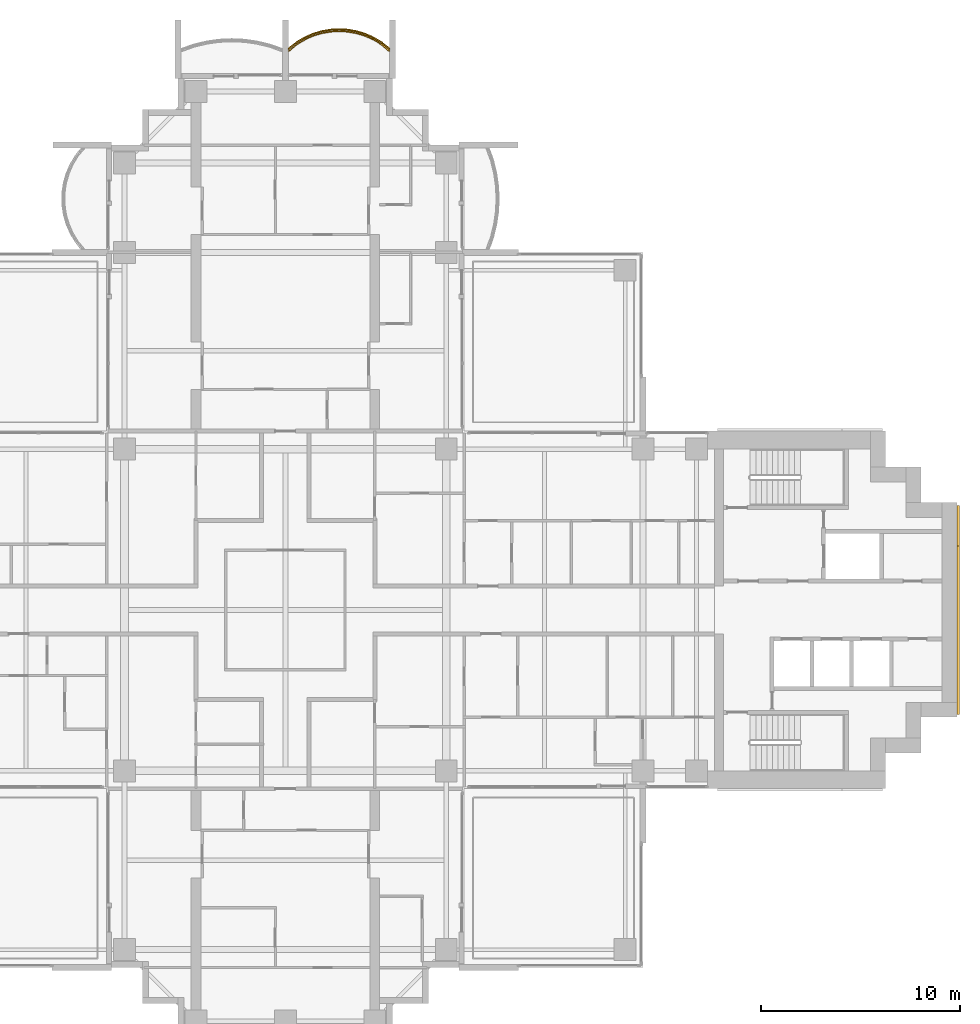
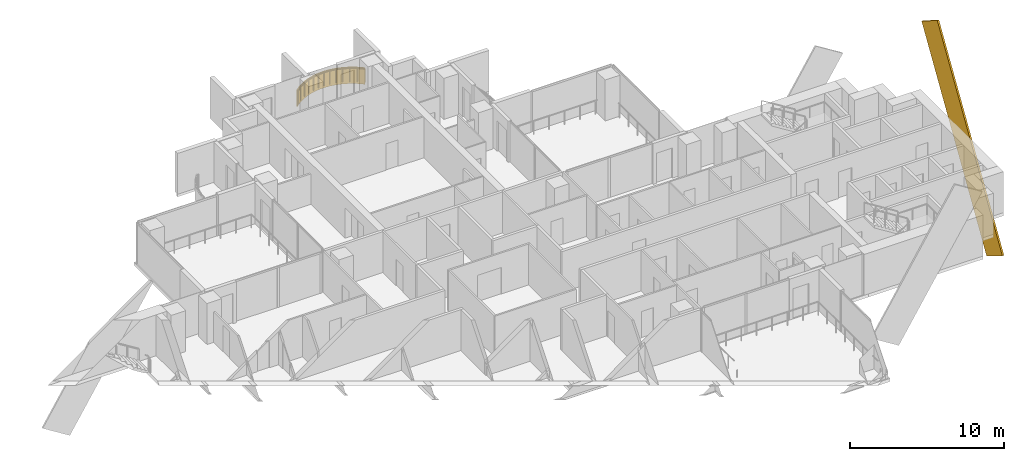
# One storey, part 19 of 19: 2 coverings, 1 railing.
"""IFC4 building model written with IfcOpenShell, lengths in metres."""

from ifc_helpers import new_model, si_unit, direction, frame, origin, origin_2d, place, context, subcontext, project, spatial, polyline, rectangle, outline, extrude, material, layer, layer_set, material_profile, profile_set, type_object, element, save


model = new_model("IFC4")

# Units and contexts
model_context = context("Model", 3, precision=1e-05, world=origin(), true_north=direction((0.0, 1.0)))
body_context = subcontext(model_context, "Body", "Model", "MODEL_VIEW")
ifc_project = project(units=[si_unit("LENGTHUNIT", "METRE"), si_unit("AREAUNIT", "SQUARE_METRE"), si_unit("VOLUMEUNIT", "CUBIC_METRE"), si_unit("PLANEANGLEUNIT", "RADIAN"), si_unit("MASSUNIT", "GRAM", prefix="KILO")], contexts=[model_context])

# Site, building, storey
site_placement = place(None, origin())
site = spatial("IfcSite", under=ifc_project, at=site_placement, CompositionType="ELEMENT")
building_placement = place(site_placement, origin())
building = spatial("IfcBuilding", under=site, at=building_placement, Name="Perihelion Cross Residences", CompositionType="ELEMENT")
storey_placement = place(building_placement, frame((0.0, 0.0, 116.39990234375)))
storey = spatial("IfcBuildingStorey", under=building, at=storey_placement, Name="L27", CompositionType="ELEMENT", Elevation=116.39990234375)

# Covering
ifc_material_1 = material(Name="Bronze anodised aluminium", Category="aluminium")
ifc_layer = layer(ifc_material_1, 0.070068359375)
ifc_layer_set = layer_set([ifc_layer], Name="Balcony fascia 1300")
covering_type_1 = type_object("IfcCoveringType", Name="Balcony fascia 1300", PredefinedType="CLADDING", material=ifc_layer_set)
covering_1_placement = place(storey_placement, frame((0.0, 0.0, -0.199951171875)))
element("IfcCovering", 1, at=covering_1_placement, inside=storey, type_object=covering_type_1, Name="Fascia BF1 L27 north tip north bay 1", PredefinedType="CLADDING", context=body_context, shape_type="SweptSolid", body=[
    extrude(outline(polyline([(4.86474609375, 28.59765625), (4.431884765625, 28.85498046875), (3.998779296875, 29.04248046875), (3.56591796875, 29.170654296875), (3.133056640625, 29.245361328125), (2.699951171875, 29.27001953125), (2.26708984375, 29.245361328125), (1.833984375, 29.170654296875), (1.401123046875, 29.04248046875), (0.96826171875, 28.85498046875), (0.53515625, 28.59765625), (0.14990234375, 28.28955078125), (0.14990234375, 28.199951171875), (0.574951171875, 28.5400390625), (1.0, 28.792724609375), (1.425048828125, 28.9765625), (1.85009765625, 29.1025390625), (2.27490234375, 29.17578125), (2.699951171875, 29.199951171875), (3.125, 29.17578125), (3.550048828125, 29.1025390625), (3.97509765625, 28.9765625), (4.39990234375, 28.792724609375), (4.824951171875, 28.5400390625), (5.25, 28.199951171875), (5.25, 28.28955078125), (4.86474609375, 28.59765625)])), origin(), (0.0, 0.0, 1.0), 1.300048828125),
])

# Railing
ifc_material_2 = material(Name="Bronze anodised aluminium", Category="aluminium")
railing_type = type_object("IfcRailingType", Name="Balcony guard 1100", PredefinedType="GUARDRAIL", material=ifc_material_2)
railing_placement = place(storey_placement, frame((5.22509765625, 28.139892578125, 0.0)))
element("IfcRailing", 2, at=railing_placement, inside=storey, type_object=railing_type, Name="Guard GU1 L27 north tip north bay 1 balcony", PredefinedType="GUARDRAIL", context=body_context, shape_type="SweptSolid", body=[
    extrude(rectangle(XDim=0.048095703125, YDim=0.048095703125, at=origin_2d()), frame((0.0, 0.0, 1.076171875), z_axis=(-0.761973728849, 0.647607934281, 0.0), x_axis=(-0.647607934281, -0.761973728849, 0.0)), (0.0, 0.0, 1.0), 0.525146484375),
    extrude(rectangle(XDim=0.048095703125, YDim=0.048095703125, at=origin_2d()), frame((-0.400146484375, 0.340087890625, 1.076171875), z_axis=(-0.859576918062, 0.511006381501, 0.0), x_axis=(-0.511006381501, -0.859576918062, 0.0)), (0.0, 0.0, 1.0), 0.494384765625),
    extrude(rectangle(XDim=0.048095703125, YDim=0.048095703125, at=origin_2d()), frame((-0.8251953125, 0.5927734375, 1.076171875), z_axis=(-0.91755562531, 0.397607437634, 0.0), x_axis=(-0.397607437634, -0.91755562531, 0.0)), (0.0, 0.0, 1.0), 0.462890625),
    extrude(rectangle(XDim=0.048095703125, YDim=0.048095703125, at=origin_2d()), frame((-1.25, 0.77685546875, 1.076171875), z_axis=(-0.958925815697, 0.283656975924, 0.0), x_axis=(-0.283656975924, -0.958925815697, 0.0)), (0.0, 0.0, 1.0), 0.443359375),
    extrude(rectangle(XDim=0.048095703125, YDim=0.048095703125, at=origin_2d()), frame((-1.675048828125, 0.902587890625, 1.076171875), z_axis=(-0.985381583142, 0.17036177859, 0.0), x_axis=(-0.17036177859, -0.985381583142, 0.0)), (0.0, 0.0, 1.0), 0.431396484375),
    extrude(rectangle(XDim=0.048095703125, YDim=0.048095703125, at=origin_2d()), frame((-2.10009765625, 0.97607421875, 1.076171875), z_axis=(-0.9984195016, 0.056200523353, 0.0), x_axis=(-0.056200523353, -0.9984195016, 0.0)), (0.0, 0.0, 1.0), 0.42578125),
    extrude(rectangle(XDim=0.048095703125, YDim=0.048095703125, at=origin_2d()), frame((-2.525146484375, 1.0, 1.076171875), z_axis=(-0.9984195016, -0.056200523353, 0.0), x_axis=(0.056200523353, -0.9984195016, 0.0)), (0.0, 0.0, 1.0), 0.42578125),
    extrude(rectangle(XDim=0.048095703125, YDim=0.048095703125, at=origin_2d()), frame((-2.9501953125, 0.97607421875, 1.076171875), z_axis=(-0.985365142702, -0.170456843651, 0.0), x_axis=(0.170456843651, -0.985365142702, 0.0)), (0.0, 0.0, 1.0), 0.43115234375),
    extrude(rectangle(XDim=0.048095703125, YDim=0.048095703125, at=origin_2d()), frame((-3.375, 0.902587890625, 1.076171875), z_axis=(-0.958925815697, -0.283656975924, 0.0), x_axis=(0.283656975924, -0.958925815697, 0.0)), (0.0, 0.0, 1.0), 0.443359375),
    extrude(rectangle(XDim=0.048095703125, YDim=0.048095703125, at=origin_2d()), frame((-3.800048828125, 0.77685546875, 1.076171875), z_axis=(-0.917638931453, -0.397415137459, 0.0), x_axis=(0.397415137459, -0.917638931453, 0.0)), (0.0, 0.0, 1.0), 0.463134765625),
    extrude(rectangle(XDim=0.048095703125, YDim=0.048095703125, at=origin_2d()), frame((-4.22509765625, 0.5927734375, 1.076171875), z_axis=(-0.859576918062, -0.511006381501, 0.0), x_axis=(0.511006381501, -0.859576918062, 0.0)), (0.0, 0.0, 1.0), 0.494384765625),
    extrude(rectangle(XDim=0.048095703125, YDim=0.048095703125, at=origin_2d()), frame((-4.650146484375, 0.340087890625, 1.076171875), z_axis=(-0.761778647315, -0.647837396648, 0.0), x_axis=(0.647837396648, -0.761778647315, 0.0)), (0.0, 0.0, 1.0), 0.52490234375),
    extrude(rectangle(XDim=0.0419921875, YDim=0.0419921875, at=origin_2d()), origin(), (0.0, 0.0, 1.0), 1.052001953125),
    extrude(rectangle(XDim=0.0419921875, YDim=0.0419921875, at=origin_2d()), frame((-0.400146484375, 0.340087890625, 0.0)), (0.0, 0.0, 1.0), 1.052001953125),
    extrude(rectangle(XDim=0.0419921875, YDim=0.0419921875, at=origin_2d()), frame((-0.8251953125, 0.5927734375, 0.0)), (0.0, 0.0, 1.0), 1.052001953125),
    extrude(rectangle(XDim=0.0419921875, YDim=0.0419921875, at=origin_2d()), frame((-1.25, 0.77685546875, 0.0)), (0.0, 0.0, 1.0), 1.052001953125),
    extrude(rectangle(XDim=0.0419921875, YDim=0.0419921875, at=origin_2d()), frame((-1.675048828125, 0.902587890625, 0.0)), (0.0, 0.0, 1.0), 1.052001953125),
    extrude(rectangle(XDim=0.0419921875, YDim=0.0419921875, at=origin_2d()), frame((-2.10009765625, 0.97607421875, 0.0)), (0.0, 0.0, 1.0), 1.052001953125),
    extrude(rectangle(XDim=0.0419921875, YDim=0.0419921875, at=origin_2d()), frame((-2.525146484375, 1.0, 0.0)), (0.0, 0.0, 1.0), 1.052001953125),
    extrude(rectangle(XDim=0.0419921875, YDim=0.0419921875, at=origin_2d()), frame((-2.9501953125, 0.97607421875, 0.0)), (0.0, 0.0, 1.0), 1.052001953125),
    extrude(rectangle(XDim=0.0419921875, YDim=0.0419921875, at=origin_2d()), frame((-3.375, 0.902587890625, 0.0)), (0.0, 0.0, 1.0), 1.052001953125),
    extrude(rectangle(XDim=0.0419921875, YDim=0.0419921875, at=origin_2d()), frame((-3.800048828125, 0.77685546875, 0.0)), (0.0, 0.0, 1.0), 1.052001953125),
    extrude(rectangle(XDim=0.0419921875, YDim=0.0419921875, at=origin_2d()), frame((-4.22509765625, 0.5927734375, 0.0)), (0.0, 0.0, 1.0), 1.052001953125),
    extrude(rectangle(XDim=0.0419921875, YDim=0.0419921875, at=origin_2d()), frame((-4.650146484375, 0.340087890625, 0.0)), (0.0, 0.0, 1.0), 1.052001953125),
    extrude(rectangle(XDim=0.0419921875, YDim=0.0419921875, at=origin_2d()), frame((-5.050048828125, 0.0, 0.0)), (0.0, 0.0, 1.0), 1.052001953125),
])

# Covering
ifc_material_3 = material(Name="Bronze anodised aluminium", Category="aluminium")
ifc_material_profile = material_profile(ifc_material_3, rectangle(XDim=0.125, YDim=2.39990234375, at=origin_2d()), Name="Bronze cladding band 2400")
ifc_profile_set = profile_set([ifc_material_profile], Name="Bronze anodised aluminium")
covering_type_2 = type_object("IfcCoveringType", Name="Bronze cladding band 2400", PredefinedType="CLADDING", material=ifc_profile_set)
covering_2_placement = place(storey_placement, frame((33.862548828125, -4.232421875, -4.156005859375), z_axis=(0.0, 0.529924750763, 0.848044667767), x_axis=(-1.0, 0.0, 0.0)))
element("IfcCovering", 3, at=covering_2_placement, inside=storey, type_object=covering_type_2, Name="Core cladding band, east core", PredefinedType="CLADDING", context=body_context, shape_type="SweptSolid", body=[
    extrude(rectangle(XDim=0.125, YDim=2.39990234375, at=origin_2d()), origin(), (0.0, 0.0, 1.0), 15.9736328125),
])

save(model, "model.ifc")
